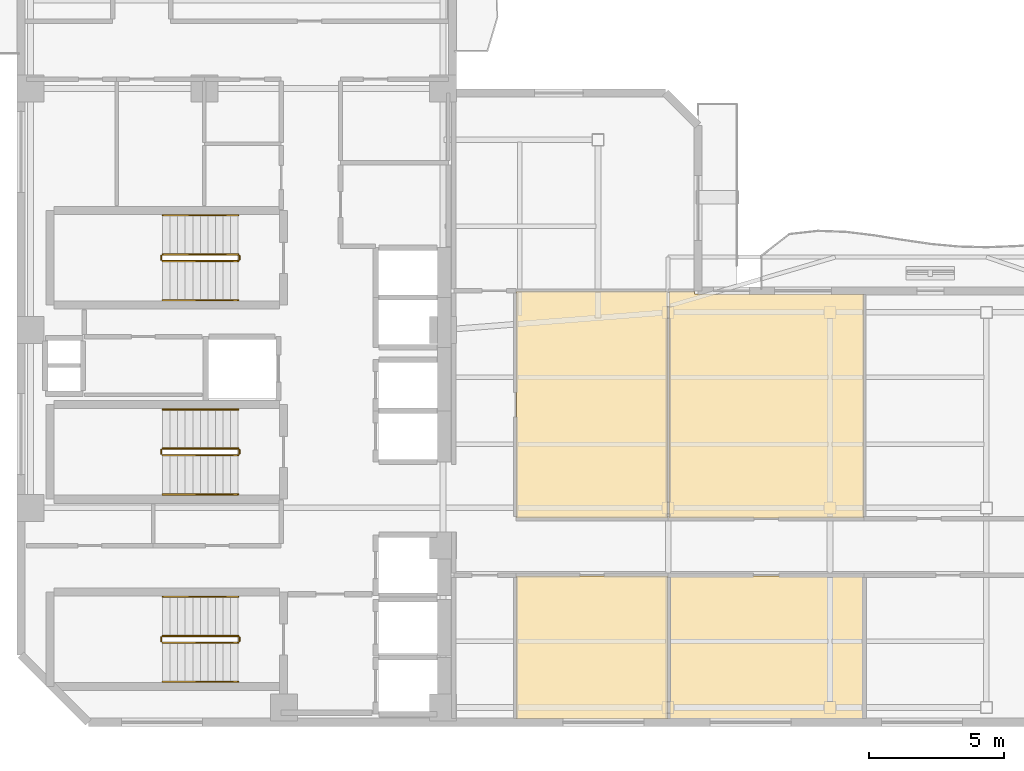
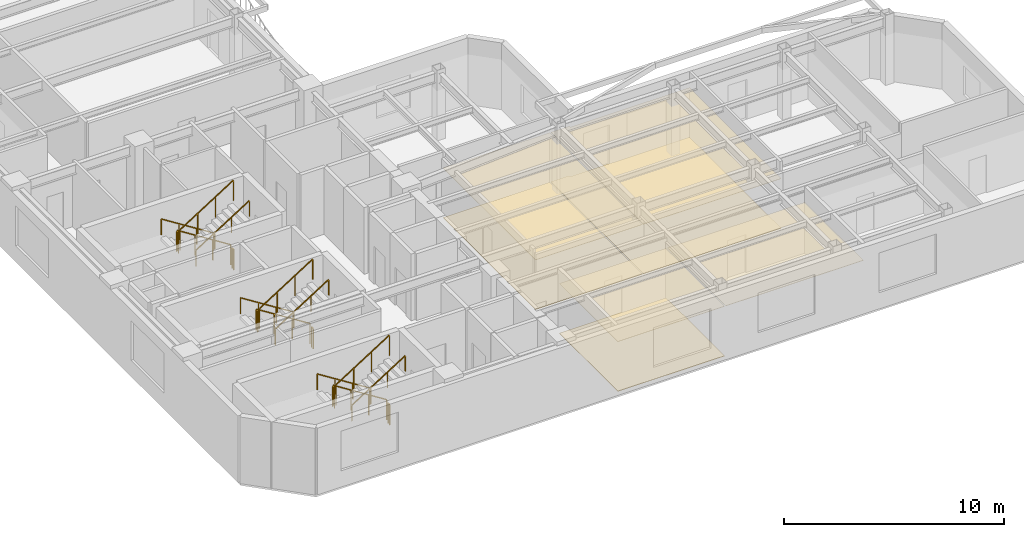
# One storey, part 7 of 9: 18 railings, 7 coverings.
"""IFC4 building model written with IfcOpenShell, lengths in metres."""

from ifc_helpers import new_model, si_unit, direction, frame, origin, origin_2d, place, context, subcontext, project, spatial, polyline, rectangle, outline, extrude, material, layer, layer_set, type_object, element, save


model = new_model("IFC4")

# Units and contexts
model_context = context("Model", 3, precision=1e-05, world=origin(), true_north=direction((0.0, 1.0)))
body_context = subcontext(model_context, "Body", "Model", "MODEL_VIEW")
ifc_project = project(units=[si_unit("LENGTHUNIT", "METRE"), si_unit("AREAUNIT", "SQUARE_METRE"), si_unit("VOLUMEUNIT", "CUBIC_METRE"), si_unit("PLANEANGLEUNIT", "RADIAN"), si_unit("MASSUNIT", "GRAM", prefix="KILO")], contexts=[model_context])

# Site, building, storey
site_placement = place(None, origin())
site = spatial("IfcSite", under=ifc_project, at=site_placement, CompositionType="ELEMENT")
building_placement = place(site_placement, origin())
building = spatial("IfcBuilding", under=site, at=building_placement, Name="Mawjaban Terraces University", CompositionType="ELEMENT")
storey_placement = place(building_placement, frame((0.0, 0.0, 195.300048828125)))
storey = spatial("IfcBuildingStorey", under=building, at=storey_placement, Name="L47", CompositionType="ELEMENT", Elevation=195.300048828125)

# Coverings
ifc_material_1 = material(Name="Acoustic mineral fibre ceiling tile", Category="masonry")
ifc_layer_1 = layer(ifc_material_1, 0.02001953125)
ifc_layer_set_1 = layer_set([ifc_layer_1], Name="Acoustic mineral fibre ceiling tile")
covering_type_1 = type_object("IfcCoveringType", Name="AcousticMineralCeiling_20", PredefinedType="CEILING", material=ifc_layer_set_1)
covering_1_placement = place(storey_placement, frame((0.0, 0.0, 2.75)))
element("IfcCovering", 1, at=covering_1_placement, inside=storey, type_object=covering_type_1, Name="L47 Quiet Reading Room 2 Acoustic Ceiling", PredefinedType="CEILING", context=body_context, shape_type="SweptSolid", body=[
    extrude(outline(polyline([(40.3798828125, 0.114990234375), (45.969970703125, 0.114990234375), (45.969970703125, 5.419921875), (40.3798828125, 5.419921875), (40.3798828125, 0.114990234375)])), origin(), (0.0, 0.0, 1.0), 0.02001953125),
])
covering_2_placement = place(storey_placement, frame((0.0, 0.0, 2.75)))
element("IfcCovering", 2, at=covering_2_placement, inside=storey, type_object=covering_type_1, Name="L47 Reading Salon 3 Acoustic Ceiling", PredefinedType="CEILING", context=body_context, shape_type="SweptSolid", body=[
    extrude(outline(polyline([(45.969970703125, 7.580078125), (45.969970703125, 15.969970703125), (40.3798828125, 15.969970703125), (40.3798828125, 7.580078125), (45.969970703125, 7.580078125)])), origin(), (0.0, 0.0, 1.0), 0.02001953125),
])
covering_3_placement = place(storey_placement, frame((0.0, 0.0, 2.75)))
element("IfcCovering", 3, at=covering_3_placement, inside=storey, type_object=covering_type_1, Name="L47 Media Workshop 4 Acoustic Ceiling", PredefinedType="CEILING", context=body_context, shape_type="SweptSolid", body=[
    extrude(outline(polyline([(46.030029296875, 0.114990234375), (53.241943359375, 0.114990234375), (53.241943359375, 5.419921875), (46.030029296875, 5.419921875), (46.030029296875, 0.114990234375)])), origin(), (0.0, 0.0, 1.0), 0.02001953125),
])
covering_4_placement = place(storey_placement, frame((0.0, 0.0, 2.75)))
element("IfcCovering", 4, at=covering_4_placement, inside=storey, type_object=covering_type_1, Name="L47 Quiet Reading Room 5 Acoustic Ceiling", PredefinedType="CEILING", context=body_context, shape_type="SweptSolid", body=[
    extrude(outline(polyline([(53.241943359375, 15.885009765625), (46.985107421875, 15.885009765625), (46.985107421875, 15.969970703125), (46.030029296875, 15.969970703125), (46.030029296875, 7.580078125), (53.241943359375, 7.580078125), (53.241943359375, 15.885009765625)])), origin(), (0.0, 0.0, 1.0), 0.02001953125),
])

# Railings
ifc_material_2 = material(Name="Brushed stainless steel 316", Category="steel")
railing_type_1 = type_object("IfcRailingType", Name="StairWallHandrail_900", PredefinedType="HANDRAIL", material=ifc_material_2)
railing_1_placement = place(storey_placement, frame((30.050048828125, 4.64990234375, 0.17724609375)))
element("IfcRailing", 5, at=railing_1_placement, inside=storey, type_object=railing_type_1, Name="L47 ST-1 stair handrail 1", PredefinedType="HANDRAIL", context=body_context, shape_type="SweptSolid", body=[
    extrude(rectangle(XDim=0.048095703125, YDim=0.048095703125, at=origin_2d()), frame((0.0, 0.0, 0.8759765625), z_axis=(-0.844908973607, 0.0, 0.534910110503), x_axis=(0.0, -1.0, 0.0)), (0.0, 0.0, 1.0), 3.31396484375),
    extrude(rectangle(XDim=0.0419921875, YDim=0.0419921875, at=origin_2d()), origin(), (0.0, 0.0, 1.0), 0.851806640625),
    extrude(rectangle(XDim=0.0419921875, YDim=0.0419921875, at=origin_2d()), frame((-0.933349609375, 0.0, 0.5908203125)), (0.0, 0.0, 1.0), 0.851806640625),
    extrude(rectangle(XDim=0.0419921875, YDim=0.0419921875, at=origin_2d()), frame((-1.86669921875, 0.0, 1.181884765625)), (0.0, 0.0, 1.0), 0.851806640625),
    extrude(rectangle(XDim=0.0419921875, YDim=0.0419921875, at=origin_2d()), frame((-2.800048828125, 0.0, 1.772705078125)), (0.0, 0.0, 1.0), 0.851806640625),
])
railing_2_placement = place(storey_placement, frame((27.25, 1.5, 2.127197265625)))
element("IfcRailing", 6, at=railing_2_placement, inside=storey, type_object=railing_type_1, Name="L47 ST-1 stair handrail 2", PredefinedType="HANDRAIL", context=body_context, shape_type="SweptSolid", body=[
    extrude(rectangle(XDim=0.048095703125, YDim=0.048095703125, at=origin_2d()), frame((0.0, 0.0, 0.8759765625), z_axis=(0.844908973607, 0.0, 0.534910110503), x_axis=(0.0, 1.0, 0.0)), (0.0, 0.0, 1.0), 3.31396484375),
    extrude(rectangle(XDim=0.0419921875, YDim=0.0419921875, at=origin_2d()), origin(), (0.0, 0.0, 1.0), 0.851806640625),
    extrude(rectangle(XDim=0.0419921875, YDim=0.0419921875, at=origin_2d()), frame((0.933349609375, 0.0, 0.5908203125)), (0.0, 0.0, 1.0), 0.851806640625),
    extrude(rectangle(XDim=0.0419921875, YDim=0.0419921875, at=origin_2d()), frame((1.86669921875, 0.0, 1.181884765625)), (0.0, 0.0, 1.0), 0.851806640625),
    extrude(rectangle(XDim=0.0419921875, YDim=0.0419921875, at=origin_2d()), frame((2.800048828125, 0.0, 1.772705078125)), (0.0, 0.0, 1.0), 0.851806640625),
])
railing_3_placement = place(storey_placement, frame((30.050048828125, 18.800048828125, 0.17724609375)))
element("IfcRailing", 7, at=railing_3_placement, inside=storey, type_object=railing_type_1, Name="L47 ST-2 stair handrail 1", PredefinedType="HANDRAIL", context=body_context, shape_type="SweptSolid", body=[
    extrude(rectangle(XDim=0.048095703125, YDim=0.048095703125, at=origin_2d()), frame((0.0, 0.0, 0.8759765625), z_axis=(-0.844908973607, 0.0, 0.534910110503), x_axis=(0.0, -1.0, 0.0)), (0.0, 0.0, 1.0), 3.31396484375),
    extrude(rectangle(XDim=0.0419921875, YDim=0.0419921875, at=origin_2d()), origin(), (0.0, 0.0, 1.0), 0.851806640625),
    extrude(rectangle(XDim=0.0419921875, YDim=0.0419921875, at=origin_2d()), frame((-0.933349609375, 0.0, 0.5908203125)), (0.0, 0.0, 1.0), 0.851806640625),
    extrude(rectangle(XDim=0.0419921875, YDim=0.0419921875, at=origin_2d()), frame((-1.86669921875, 0.0, 1.181884765625)), (0.0, 0.0, 1.0), 0.851806640625),
    extrude(rectangle(XDim=0.0419921875, YDim=0.0419921875, at=origin_2d()), frame((-2.800048828125, 0.0, 1.772705078125)), (0.0, 0.0, 1.0), 0.851806640625),
])
railing_4_placement = place(storey_placement, frame((27.25, 15.64990234375, 2.127197265625)))
element("IfcRailing", 8, at=railing_4_placement, inside=storey, type_object=railing_type_1, Name="L47 ST-2 stair handrail 2", PredefinedType="HANDRAIL", context=body_context, shape_type="SweptSolid", body=[
    extrude(rectangle(XDim=0.048095703125, YDim=0.048095703125, at=origin_2d()), frame((0.0, 0.0, 0.8759765625), z_axis=(0.844908973607, 0.0, 0.534910110503), x_axis=(0.0, 1.0, 0.0)), (0.0, 0.0, 1.0), 3.31396484375),
    extrude(rectangle(XDim=0.0419921875, YDim=0.0419921875, at=origin_2d()), origin(), (0.0, 0.0, 1.0), 0.851806640625),
    extrude(rectangle(XDim=0.0419921875, YDim=0.0419921875, at=origin_2d()), frame((0.933349609375, 0.0, 0.5908203125)), (0.0, 0.0, 1.0), 0.851806640625),
    extrude(rectangle(XDim=0.0419921875, YDim=0.0419921875, at=origin_2d()), frame((1.86669921875, 0.0, 1.181884765625)), (0.0, 0.0, 1.0), 0.851806640625),
    extrude(rectangle(XDim=0.0419921875, YDim=0.0419921875, at=origin_2d()), frame((2.800048828125, 0.0, 1.772705078125)), (0.0, 0.0, 1.0), 0.851806640625),
])
railing_5_placement = place(storey_placement, frame((30.050048828125, 11.60009765625, 0.17724609375)))
element("IfcRailing", 9, at=railing_5_placement, inside=storey, type_object=railing_type_1, Name="L47 ST-3 stair handrail 1", PredefinedType="HANDRAIL", context=body_context, shape_type="SweptSolid", body=[
    extrude(rectangle(XDim=0.048095703125, YDim=0.048095703125, at=origin_2d()), frame((0.0, 0.0, 0.8759765625), z_axis=(-0.844908973607, 0.0, 0.534910110503), x_axis=(0.0, -1.0, 0.0)), (0.0, 0.0, 1.0), 3.31396484375),
    extrude(rectangle(XDim=0.0419921875, YDim=0.0419921875, at=origin_2d()), origin(), (0.0, 0.0, 1.0), 0.851806640625),
    extrude(rectangle(XDim=0.0419921875, YDim=0.0419921875, at=origin_2d()), frame((-0.933349609375, 0.0, 0.5908203125)), (0.0, 0.0, 1.0), 0.851806640625),
    extrude(rectangle(XDim=0.0419921875, YDim=0.0419921875, at=origin_2d()), frame((-1.86669921875, 0.0, 1.181884765625)), (0.0, 0.0, 1.0), 0.851806640625),
    extrude(rectangle(XDim=0.0419921875, YDim=0.0419921875, at=origin_2d()), frame((-2.800048828125, 0.0, 1.772705078125)), (0.0, 0.0, 1.0), 0.851806640625),
])
railing_6_placement = place(storey_placement, frame((27.25, 8.449951171875, 2.127197265625)))
element("IfcRailing", 10, at=railing_6_placement, inside=storey, type_object=railing_type_1, Name="L47 ST-3 stair handrail 2", PredefinedType="HANDRAIL", context=body_context, shape_type="SweptSolid", body=[
    extrude(rectangle(XDim=0.048095703125, YDim=0.048095703125, at=origin_2d()), frame((0.0, 0.0, 0.8759765625), z_axis=(0.844908973607, 0.0, 0.534910110503), x_axis=(0.0, 1.0, 0.0)), (0.0, 0.0, 1.0), 3.31396484375),
    extrude(rectangle(XDim=0.0419921875, YDim=0.0419921875, at=origin_2d()), origin(), (0.0, 0.0, 1.0), 0.851806640625),
    extrude(rectangle(XDim=0.0419921875, YDim=0.0419921875, at=origin_2d()), frame((0.933349609375, 0.0, 0.5908203125)), (0.0, 0.0, 1.0), 0.851806640625),
    extrude(rectangle(XDim=0.0419921875, YDim=0.0419921875, at=origin_2d()), frame((1.86669921875, 0.0, 1.181884765625)), (0.0, 0.0, 1.0), 0.851806640625),
    extrude(rectangle(XDim=0.0419921875, YDim=0.0419921875, at=origin_2d()), frame((2.800048828125, 0.0, 1.772705078125)), (0.0, 0.0, 1.0), 0.851806640625),
])
ifc_material_3 = material(Name="Galvanised painted steel S355", Category="steel")
railing_type_2 = type_object("IfcRailingType", Name="StairWellGuard_1150", PredefinedType="BALUSTRADE", material=ifc_material_3)
railing_7_placement = place(storey_placement, frame((30.050048828125, 3.199951171875, 0.17724609375)))
element("IfcRailing", 11, at=railing_7_placement, inside=storey, type_object=railing_type_2, Name="L47 ST-1 stair guard 1", PredefinedType="BALUSTRADE", context=body_context, shape_type="SweptSolid", body=[
    extrude(rectangle(XDim=0.048095703125, YDim=0.048095703125, at=origin_2d()), frame((0.0, 0.0, 1.1259765625), z_axis=(-0.844908973607, 0.0, 0.534910110503), x_axis=(0.0, -1.0, 0.0)), (0.0, 0.0, 1.0), 3.31396484375),
    extrude(rectangle(XDim=0.0419921875, YDim=0.0419921875, at=origin_2d()), origin(), (0.0, 0.0, 1.0), 1.101806640625),
    extrude(rectangle(XDim=0.0419921875, YDim=0.0419921875, at=origin_2d()), frame((-0.933349609375, 0.0, 0.5908203125)), (0.0, 0.0, 1.0), 1.101806640625),
    extrude(rectangle(XDim=0.0419921875, YDim=0.0419921875, at=origin_2d()), frame((-1.86669921875, 0.0, 1.181884765625)), (0.0, 0.0, 1.0), 1.101806640625),
    extrude(rectangle(XDim=0.0419921875, YDim=0.0419921875, at=origin_2d()), frame((-2.800048828125, 0.0, 1.772705078125)), (0.0, 0.0, 1.0), 1.101806640625),
])
railing_8_placement = place(storey_placement, frame((27.199951171875, 3.14990234375, 1.949951171875)))
element("IfcRailing", 12, at=railing_8_placement, inside=storey, type_object=railing_type_2, Name="L47 ST-1 stair guard 2", PredefinedType="BALUSTRADE", context=body_context, shape_type="SweptSolid", body=[
    extrude(rectangle(XDim=0.048095703125, YDim=0.048095703125, at=origin_2d()), frame((0.0, 0.0, 1.1259765625), z_axis=(0.0, -1.0, 0.0), x_axis=(1.0, 0.0, 0.0)), (0.0, 0.0, 1.0), 0.14990234375),
    extrude(rectangle(XDim=0.0419921875, YDim=0.0419921875, at=origin_2d()), origin(), (0.0, 0.0, 1.0), 1.101806640625),
    extrude(rectangle(XDim=0.0419921875, YDim=0.0419921875, at=origin_2d()), frame((0.0, -0.14990234375, 0.0)), (0.0, 0.0, 1.0), 1.101806640625),
])
railing_9_placement = place(storey_placement, frame((27.25, 2.949951171875, 2.127197265625)))
element("IfcRailing", 13, at=railing_9_placement, inside=storey, type_object=railing_type_2, Name="L47 ST-1 stair guard 3", PredefinedType="BALUSTRADE", context=body_context, shape_type="SweptSolid", body=[
    extrude(rectangle(XDim=0.048095703125, YDim=0.048095703125, at=origin_2d()), frame((0.0, 0.0, 1.1259765625), z_axis=(0.844908973607, 0.0, 0.534910110503), x_axis=(0.0, 1.0, 0.0)), (0.0, 0.0, 1.0), 3.31396484375),
    extrude(rectangle(XDim=0.0419921875, YDim=0.0419921875, at=origin_2d()), origin(), (0.0, 0.0, 1.0), 1.101806640625),
    extrude(rectangle(XDim=0.0419921875, YDim=0.0419921875, at=origin_2d()), frame((0.933349609375, 0.0, 0.5908203125)), (0.0, 0.0, 1.0), 1.101806640625),
    extrude(rectangle(XDim=0.0419921875, YDim=0.0419921875, at=origin_2d()), frame((1.86669921875, 0.0, 1.181884765625)), (0.0, 0.0, 1.0), 1.101806640625),
    extrude(rectangle(XDim=0.0419921875, YDim=0.0419921875, at=origin_2d()), frame((2.800048828125, 0.0, 1.772705078125)), (0.0, 0.0, 1.0), 1.101806640625),
])
railing_10_placement = place(storey_placement, frame((30.10009765625, 3.14990234375, 0.0)))
element("IfcRailing", 14, at=railing_10_placement, inside=storey, type_object=railing_type_2, Name="L47 ST-1 stair guard 4", PredefinedType="BALUSTRADE", context=body_context, shape_type="SweptSolid", body=[
    extrude(rectangle(XDim=0.048095703125, YDim=0.048095703125, at=origin_2d()), frame((0.0, 0.0, 1.1259765625), z_axis=(0.0, -1.0, 0.0), x_axis=(1.0, 0.0, 0.0)), (0.0, 0.0, 1.0), 0.14990234375),
    extrude(rectangle(XDim=0.0419921875, YDim=0.0419921875, at=origin_2d()), origin(), (0.0, 0.0, 1.0), 1.101806640625),
    extrude(rectangle(XDim=0.0419921875, YDim=0.0419921875, at=origin_2d()), frame((0.0, -0.14990234375, 0.0)), (0.0, 0.0, 1.0), 1.101806640625),
])
railing_11_placement = place(storey_placement, frame((30.050048828125, 17.35009765625, 0.17724609375)))
element("IfcRailing", 15, at=railing_11_placement, inside=storey, type_object=railing_type_2, Name="L47 ST-2 stair guard 1", PredefinedType="BALUSTRADE", context=body_context, shape_type="SweptSolid", body=[
    extrude(rectangle(XDim=0.048095703125, YDim=0.048095703125, at=origin_2d()), frame((0.0, 0.0, 1.1259765625), z_axis=(-0.844908973607, 0.0, 0.534910110503), x_axis=(0.0, -1.0, 0.0)), (0.0, 0.0, 1.0), 3.31396484375),
    extrude(rectangle(XDim=0.0419921875, YDim=0.0419921875, at=origin_2d()), origin(), (0.0, 0.0, 1.0), 1.101806640625),
    extrude(rectangle(XDim=0.0419921875, YDim=0.0419921875, at=origin_2d()), frame((-0.933349609375, 0.0, 0.5908203125)), (0.0, 0.0, 1.0), 1.101806640625),
    extrude(rectangle(XDim=0.0419921875, YDim=0.0419921875, at=origin_2d()), frame((-1.86669921875, 0.0, 1.181884765625)), (0.0, 0.0, 1.0), 1.101806640625),
    extrude(rectangle(XDim=0.0419921875, YDim=0.0419921875, at=origin_2d()), frame((-2.800048828125, 0.0, 1.772705078125)), (0.0, 0.0, 1.0), 1.101806640625),
])
railing_12_placement = place(storey_placement, frame((27.199951171875, 17.300048828125, 1.949951171875)))
element("IfcRailing", 16, at=railing_12_placement, inside=storey, type_object=railing_type_2, Name="L47 ST-2 stair guard 2", PredefinedType="BALUSTRADE", context=body_context, shape_type="SweptSolid", body=[
    extrude(rectangle(XDim=0.048095703125, YDim=0.048095703125, at=origin_2d()), frame((0.0, 0.0, 1.1259765625), z_axis=(0.0, -1.0, 0.0), x_axis=(1.0, 0.0, 0.0)), (0.0, 0.0, 1.0), 0.150146484375),
    extrude(rectangle(XDim=0.0419921875, YDim=0.0419921875, at=origin_2d()), origin(), (0.0, 0.0, 1.0), 1.101806640625),
    extrude(rectangle(XDim=0.0419921875, YDim=0.0419921875, at=origin_2d()), frame((0.0, -0.150146484375, 0.0)), (0.0, 0.0, 1.0), 1.101806640625),
])
railing_13_placement = place(storey_placement, frame((27.25, 17.10009765625, 2.127197265625)))
element("IfcRailing", 17, at=railing_13_placement, inside=storey, type_object=railing_type_2, Name="L47 ST-2 stair guard 3", PredefinedType="BALUSTRADE", context=body_context, shape_type="SweptSolid", body=[
    extrude(rectangle(XDim=0.048095703125, YDim=0.048095703125, at=origin_2d()), frame((0.0, 0.0, 1.1259765625), z_axis=(0.844908973607, 0.0, 0.534910110503), x_axis=(0.0, 1.0, 0.0)), (0.0, 0.0, 1.0), 3.31396484375),
    extrude(rectangle(XDim=0.0419921875, YDim=0.0419921875, at=origin_2d()), origin(), (0.0, 0.0, 1.0), 1.101806640625),
    extrude(rectangle(XDim=0.0419921875, YDim=0.0419921875, at=origin_2d()), frame((0.933349609375, 0.0, 0.5908203125)), (0.0, 0.0, 1.0), 1.101806640625),
    extrude(rectangle(XDim=0.0419921875, YDim=0.0419921875, at=origin_2d()), frame((1.86669921875, 0.0, 1.181884765625)), (0.0, 0.0, 1.0), 1.101806640625),
    extrude(rectangle(XDim=0.0419921875, YDim=0.0419921875, at=origin_2d()), frame((2.800048828125, 0.0, 1.772705078125)), (0.0, 0.0, 1.0), 1.101806640625),
])
railing_14_placement = place(storey_placement, frame((30.10009765625, 17.300048828125, 0.0)))
element("IfcRailing", 18, at=railing_14_placement, inside=storey, type_object=railing_type_2, Name="L47 ST-2 stair guard 4", PredefinedType="BALUSTRADE", context=body_context, shape_type="SweptSolid", body=[
    extrude(rectangle(XDim=0.048095703125, YDim=0.048095703125, at=origin_2d()), frame((0.0, 0.0, 1.1259765625), z_axis=(0.0, -1.0, 0.0), x_axis=(1.0, 0.0, 0.0)), (0.0, 0.0, 1.0), 0.150146484375),
    extrude(rectangle(XDim=0.0419921875, YDim=0.0419921875, at=origin_2d()), origin(), (0.0, 0.0, 1.0), 1.101806640625),
    extrude(rectangle(XDim=0.0419921875, YDim=0.0419921875, at=origin_2d()), frame((0.0, -0.150146484375, 0.0)), (0.0, 0.0, 1.0), 1.101806640625),
])
railing_15_placement = place(storey_placement, frame((30.050048828125, 10.14990234375, 0.17724609375)))
element("IfcRailing", 19, at=railing_15_placement, inside=storey, type_object=railing_type_2, Name="L47 ST-3 stair guard 1", PredefinedType="BALUSTRADE", context=body_context, shape_type="SweptSolid", body=[
    extrude(rectangle(XDim=0.048095703125, YDim=0.048095703125, at=origin_2d()), frame((0.0, 0.0, 1.1259765625), z_axis=(-0.844908973607, 0.0, 0.534910110503), x_axis=(0.0, -1.0, 0.0)), (0.0, 0.0, 1.0), 3.31396484375),
    extrude(rectangle(XDim=0.0419921875, YDim=0.0419921875, at=origin_2d()), origin(), (0.0, 0.0, 1.0), 1.101806640625),
    extrude(rectangle(XDim=0.0419921875, YDim=0.0419921875, at=origin_2d()), frame((-0.933349609375, 0.0, 0.5908203125)), (0.0, 0.0, 1.0), 1.101806640625),
    extrude(rectangle(XDim=0.0419921875, YDim=0.0419921875, at=origin_2d()), frame((-1.86669921875, 0.0, 1.181884765625)), (0.0, 0.0, 1.0), 1.101806640625),
    extrude(rectangle(XDim=0.0419921875, YDim=0.0419921875, at=origin_2d()), frame((-2.800048828125, 0.0, 1.772705078125)), (0.0, 0.0, 1.0), 1.101806640625),
])
railing_16_placement = place(storey_placement, frame((27.199951171875, 10.10009765625, 1.949951171875)))
element("IfcRailing", 20, at=railing_16_placement, inside=storey, type_object=railing_type_2, Name="L47 ST-3 stair guard 2", PredefinedType="BALUSTRADE", context=body_context, shape_type="SweptSolid", body=[
    extrude(rectangle(XDim=0.048095703125, YDim=0.048095703125, at=origin_2d()), frame((0.0, 0.0, 1.1259765625), z_axis=(0.0, -1.0, 0.0), x_axis=(1.0, 0.0, 0.0)), (0.0, 0.0, 1.0), 0.150146484375),
    extrude(rectangle(XDim=0.0419921875, YDim=0.0419921875, at=origin_2d()), origin(), (0.0, 0.0, 1.0), 1.101806640625),
    extrude(rectangle(XDim=0.0419921875, YDim=0.0419921875, at=origin_2d()), frame((0.0, -0.150146484375, 0.0)), (0.0, 0.0, 1.0), 1.101806640625),
])
railing_17_placement = place(storey_placement, frame((27.25, 9.89990234375, 2.127197265625)))
element("IfcRailing", 21, at=railing_17_placement, inside=storey, type_object=railing_type_2, Name="L47 ST-3 stair guard 3", PredefinedType="BALUSTRADE", context=body_context, shape_type="SweptSolid", body=[
    extrude(rectangle(XDim=0.048095703125, YDim=0.048095703125, at=origin_2d()), frame((0.0, 0.0, 1.1259765625), z_axis=(0.844908973607, 0.0, 0.534910110503), x_axis=(0.0, 1.0, 0.0)), (0.0, 0.0, 1.0), 3.31396484375),
    extrude(rectangle(XDim=0.0419921875, YDim=0.0419921875, at=origin_2d()), origin(), (0.0, 0.0, 1.0), 1.101806640625),
    extrude(rectangle(XDim=0.0419921875, YDim=0.0419921875, at=origin_2d()), frame((0.933349609375, 0.0, 0.5908203125)), (0.0, 0.0, 1.0), 1.101806640625),
    extrude(rectangle(XDim=0.0419921875, YDim=0.0419921875, at=origin_2d()), frame((1.86669921875, 0.0, 1.181884765625)), (0.0, 0.0, 1.0), 1.101806640625),
    extrude(rectangle(XDim=0.0419921875, YDim=0.0419921875, at=origin_2d()), frame((2.800048828125, 0.0, 1.772705078125)), (0.0, 0.0, 1.0), 1.101806640625),
])
railing_18_placement = place(storey_placement, frame((30.10009765625, 10.10009765625, 0.0)))
element("IfcRailing", 22, at=railing_18_placement, inside=storey, type_object=railing_type_2, Name="L47 ST-3 stair guard 4", PredefinedType="BALUSTRADE", context=body_context, shape_type="SweptSolid", body=[
    extrude(rectangle(XDim=0.048095703125, YDim=0.048095703125, at=origin_2d()), frame((0.0, 0.0, 1.1259765625), z_axis=(0.0, -1.0, 0.0), x_axis=(1.0, 0.0, 0.0)), (0.0, 0.0, 1.0), 0.150146484375),
    extrude(rectangle(XDim=0.0419921875, YDim=0.0419921875, at=origin_2d()), origin(), (0.0, 0.0, 1.0), 1.101806640625),
    extrude(rectangle(XDim=0.0419921875, YDim=0.0419921875, at=origin_2d()), frame((0.0, -0.150146484375, 0.0)), (0.0, 0.0, 1.0), 1.101806640625),
])

# Coverings
ifc_material_4 = material(Name="Polished Hijazi granite terrazzo flooring", Category="masonry")
ifc_layer_2 = layer(ifc_material_4, 0.02490234375)
ifc_layer_set_2 = layer_set([ifc_layer_2], Name="Polished Hijazi granite terrazzo flooring")
covering_type_2 = type_object("IfcCoveringType", Name="TerrazzoConcourseFlooring_25", PredefinedType="FLOORING", material=ifc_layer_set_2)
covering_5_placement = place(storey_placement, origin())
element("IfcCovering", 23, at=covering_5_placement, inside=storey, type_object=covering_type_2, Name="L47 Quiet Reading Room 2 Terrazzo Flooring", PredefinedType="FLOORING", context=body_context, shape_type="SweptSolid", body=[
    extrude(outline(polyline([(40.3798828125, 0.114990234375), (45.969970703125, 0.114990234375), (45.969970703125, 5.419921875), (40.3798828125, 5.419921875), (40.3798828125, 0.114990234375)])), origin(), (0.0, 0.0, 1.0), 0.02490234375),
])
covering_6_placement = place(storey_placement, origin())
element("IfcCovering", 24, at=covering_6_placement, inside=storey, type_object=covering_type_2, Name="L47 Reading Salon 3 Terrazzo Flooring", PredefinedType="FLOORING", context=body_context, shape_type="SweptSolid", body=[
    extrude(outline(polyline([(45.969970703125, 7.580078125), (45.969970703125, 15.969970703125), (40.3798828125, 15.969970703125), (40.3798828125, 7.580078125), (45.969970703125, 7.580078125)])), origin(), (0.0, 0.0, 1.0), 0.02490234375),
])
covering_7_placement = place(storey_placement, origin())
element("IfcCovering", 25, at=covering_7_placement, inside=storey, type_object=covering_type_2, Name="L47 Quiet Reading Room 5 Terrazzo Flooring", PredefinedType="FLOORING", context=body_context, shape_type="SweptSolid", body=[
    extrude(outline(polyline([(53.241943359375, 15.885009765625), (46.985107421875, 15.885009765625), (46.985107421875, 15.969970703125), (46.030029296875, 15.969970703125), (46.030029296875, 7.580078125), (53.241943359375, 7.580078125), (53.241943359375, 15.885009765625)])), origin(), (0.0, 0.0, 1.0), 0.02490234375),
])

save(model, "model.ifc")
